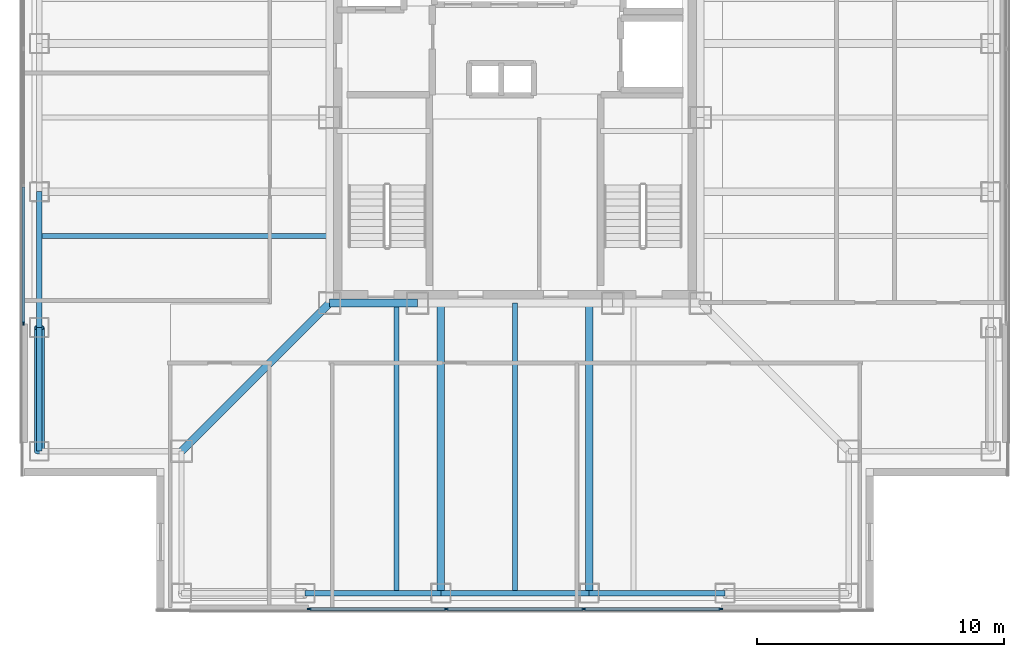
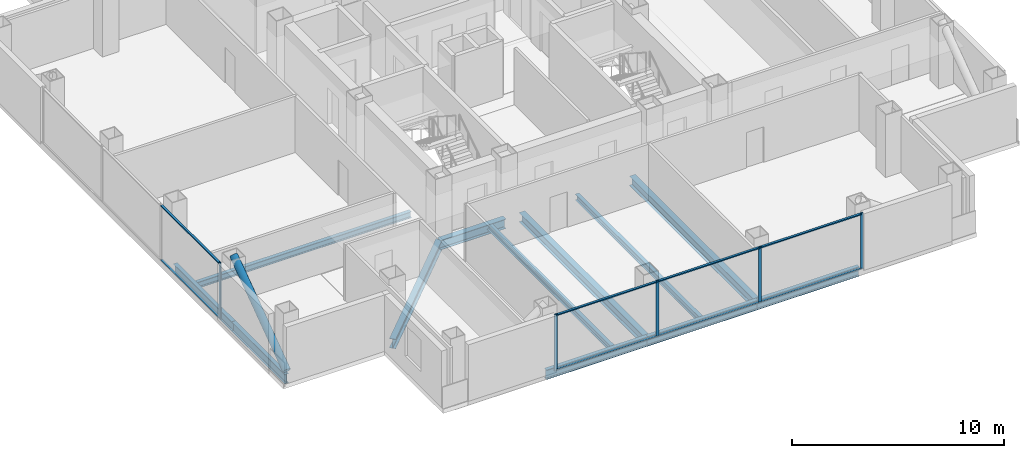
# One storey, part 2 of 16: 14 members, 12 beams, 2 elements without a shape of their own.
"""IFC4 building model written with IfcOpenShell, lengths in metres."""

import ifcopenshell
import ifcopenshell.guid

model = None  # the IFC model being written
_history = None  # IfcOwnerHistory: only IFC2X3 demands one
_inside = {}  # id of a spatial element -> (the spatial element, [elements in it])
_under = {}  # id of a project, library or spatial element -> (it, [spatial elements below it])
_declared = {}  # id of a project -> (the project, [libraries it declares])
_typed = {}  # id of a type object -> (the type object, [elements of that type])
_made_of = {}  # id of a material, layer set ... -> (it, [elements and type objects made of it])


def new_model(schema):
    """Start an empty IFC model of exactly this schema.

    Asked for "IFC4X3", IfcOpenShell would pick the latest addendum, in which some entities
    have other attributes; the version numbers below select the first issue.
    IFC2X3 requires an IfcOwnerHistory on every rooted entity: one is made here for all.
    """
    global model, _history
    if schema == "IFC4X3":
        model = ifcopenshell.file(schema_version=(4, 3, 0, 0))
    else:
        model = ifcopenshell.file(schema=schema)
    _inside.clear()
    _under.clear()
    _declared.clear()
    _typed.clear()
    _made_of.clear()
    _history = None
    if model.schema == "IFC2X3":
        org = make("IfcOrganization", Name="unknown")
        user = make(
            "IfcPersonAndOrganization",
            ThePerson=make("IfcPerson", FamilyName="unknown"),
            TheOrganization=org,
        )
        app = make(
            "IfcApplication",
            ApplicationDeveloper=org,
            Version="unknown",
            ApplicationFullName="unknown",
            ApplicationIdentifier="unknown",
        )
        _history = make(
            "IfcOwnerHistory",
            OwningUser=user,
            OwningApplication=app,
            ChangeAction="ADDED",
            CreationDate=0,
        )
    return model


def make(cls, **values):
    """One entity of the class cls with the attributes given. An attribute that is None is left unset."""
    return model.create_entity(
        cls, **{name: value for name, value in values.items() if value is not None}
    )


def rooted(cls, **values):
    """An entity with a GlobalId (a new one), such as an element, a storey or a relation."""
    return make(cls, GlobalId=ifcopenshell.guid.new(), OwnerHistory=_history, **values)


def si_unit(unit_type, name, prefix=None):
    """IfcSIUnit, for example si_unit("LENGTHUNIT", "METRE", prefix="MILLI")."""
    return make("IfcSIUnit", UnitType=unit_type, Prefix=prefix, Name=name)


def assignment(units):
    """IfcUnitAssignment: the units of a project."""
    return None if units is None else make("IfcUnitAssignment", Units=units)


def point(xyz):
    """IfcCartesianPoint."""
    return None if xyz is None else make("IfcCartesianPoint", Coordinates=xyz)


def direction(xyz):
    """IfcDirection."""
    return None if xyz is None else make("IfcDirection", DirectionRatios=xyz)


def frame(location, z_axis=None, x_axis=None):
    """IfcAxis2Placement3D, a coordinate frame: its origin and axes. An axis left out is left unset."""
    return make(
        "IfcAxis2Placement3D",
        Location=point(location),
        Axis=direction(z_axis),
        RefDirection=direction(x_axis),
    )


def frame_2d(location, x_axis=None):
    """IfcAxis2Placement2D, a coordinate frame in the plane: its origin and x axis."""
    return make(
        "IfcAxis2Placement2D", Location=point(location), RefDirection=direction(x_axis)
    )


def origin():
    """The frame at (0, 0, 0) with its axes left unset."""
    return frame((0.0, 0.0, 0.0))


def origin_2d():
    """The frame at (0, 0) in the plane with its x axis left unset."""
    return frame_2d((0.0, 0.0))


def place(relative_to, where):
    """IfcLocalPlacement: puts the frame where relative to a parent placement (None: the world)."""
    return make(
        "IfcLocalPlacement", PlacementRelTo=relative_to, RelativePlacement=where
    )


def context(
    kind, dimensions, precision=None, world=None, true_north=None, identifier=None
):
    """IfcGeometricRepresentationContext, for example the 3D "Model" context."""
    return make(
        "IfcGeometricRepresentationContext",
        ContextIdentifier=identifier,
        ContextType=kind,
        CoordinateSpaceDimension=dimensions,
        Precision=precision,
        WorldCoordinateSystem=world,
        TrueNorth=true_north,
    )


def subcontext(parent, identifier, kind, view, scale=None):
    """IfcGeometricRepresentationSubContext, for example "Body" below "Model"."""
    return make(
        "IfcGeometricRepresentationSubContext",
        ContextIdentifier=identifier,
        ContextType=kind,
        ParentContext=parent,
        TargetScale=scale,
        TargetView=view,
    )


def project(units=None, contexts=None):
    """IfcProject with its units and contexts."""
    return rooted(
        "IfcProject",
        Name="project",
        RepresentationContexts=contexts,
        UnitsInContext=assignment(units),
    )


def spatial(cls, under=None, at=None, **own):
    """A site, building, storey or space (cls), placed at a placement, below another one or the project."""
    s = rooted(cls, ObjectPlacement=at, **own)
    if under is not None:
        _under.setdefault(under.id(), (under, []))[1].append(s)
    return s


def profile(cls, at=None, kind="AREA", **sizes):
    """A parametric profile (cls). Its sizes go by their IFC names, for example OverallWidth=200.0."""
    return make(cls, ProfileType=kind, Position=at, **sizes)


def rectangle(**sizes):
    """IfcRectangleProfileDef."""
    return profile("IfcRectangleProfileDef", **sizes)


def hollow_circle(**sizes):
    """IfcCircleHollowProfileDef."""
    return profile("IfcCircleHollowProfileDef", **sizes)


def i_section(**sizes):
    """IfcIShapeProfileDef."""
    return profile("IfcIShapeProfileDef", **sizes)


def extrude(swept, where, along, depth):
    """IfcExtrudedAreaSolid: the profile swept, set in the frame where, extruded along a direction by depth."""
    return make(
        "IfcExtrudedAreaSolid",
        SweptArea=swept,
        Position=where,
        ExtrudedDirection=direction(along),
        Depth=depth,
    )


def shape(context_of_items, identifier, shape_type, items):
    """IfcShapeRepresentation: the items that make up one representation, for example the "Body"."""
    return make(
        "IfcShapeRepresentation",
        ContextOfItems=context_of_items,
        RepresentationIdentifier=identifier,
        RepresentationType=shape_type,
        Items=items,
    )


def material(Name=None, Category=None):
    """IfcMaterial."""
    return make("IfcMaterial", Name=Name, Category=Category)


def layer(
    of_material, thickness, ventilated=None, Name=None, Category=None, Priority=None
):
    """IfcMaterialLayer: one layer of a wall or slab, of a material (None: an air gap)."""
    return make(
        "IfcMaterialLayer",
        Material=of_material,
        LayerThickness=thickness,
        IsVentilated=ventilated,
        Name=Name,
        Category=Category,
        Priority=Priority,
    )


def layer_set(layers, Name=None):
    """IfcMaterialLayerSet."""
    return make("IfcMaterialLayerSet", MaterialLayers=layers, LayerSetName=Name)


def material_profile(
    of_material, cross_section, Name=None, Category=None, Priority=None
):
    """IfcMaterialProfile: a cross section and its material."""
    return make(
        "IfcMaterialProfile",
        Name=Name,
        Material=of_material,
        Profile=cross_section,
        Priority=Priority,
        Category=Category,
    )


def profile_set(profiles, Name=None, composite=None):
    """IfcMaterialProfileSet."""
    return make(
        "IfcMaterialProfileSet",
        Name=Name,
        MaterialProfiles=profiles,
        CompositeProfile=composite,
    )


def made_of(thing, what):
    """Note that an element or type object is made of a material, layer set ...; save() writes the relation."""
    if what is not None:
        _made_of.setdefault(what.id(), (what, []))[1].append(thing)
    return thing


def type_object(cls, material=None, **own):
    """A type object (cls), such as IfcWallType, which elements share."""
    return made_of(rooted(cls, **own), material)


def element(
    cls,
    number,
    at=None,
    inside=None,
    cuts=None,
    type_object=None,
    material=None,
    context=None,
    identifier="Body",
    shape_type=None,
    held_by="IfcProductDefinitionShape",
    body=None,
    shapes=None,
    **own,
):
    """One element of the class cls, such as IfcWall. Its Tag is "e" and its number.

    at: its placement. inside: the storey or other place that contains it. cuts: it is an
    opening in that element (IfcRelVoidsElement). A single representation is given by context,
    identifier, shape_type and body (its items); several are given by shapes. held_by: the class
    of the entity that holds the representations. save() writes the other relations.
    """
    e = rooted(cls, Tag="e%d" % number, ObjectPlacement=at, **own)
    if body is not None:
        shapes = [shape(context, identifier, shape_type, body)]
    if shapes is not None:
        e.Representation = make(held_by, Representations=shapes)
    if inside is not None:
        _inside.setdefault(inside.id(), (inside, []))[1].append(e)
    if cuts is not None:
        rooted(
            "IfcRelVoidsElement", RelatingBuildingElement=cuts, RelatedOpeningElement=e
        )
    if type_object is not None:
        _typed.setdefault(type_object.id(), (type_object, []))[1].append(e)
    return made_of(e, material)


def aggregate(whole, parts):
    """IfcRelAggregates: a whole, such as a stair, and the parts it consists of."""
    return rooted("IfcRelAggregates", RelatingObject=whole, RelatedObjects=parts)


def save(model, path):
    """Write the relations noted so far, then the file.

    IfcRelAggregates (storeys below a building ...), IfcRelContainedInSpatialStructure (elements
    in a storey), IfcRelDefinesByType, IfcRelAssociatesMaterial and IfcRelDeclares: one each for
    every whole, place, type object, material and project.
    """
    for whole, parts in _under.values():
        aggregate(whole, parts)
    for where, things in _inside.values():
        rooted(
            "IfcRelContainedInSpatialStructure",
            RelatedElements=things,
            RelatingStructure=where,
        )
    for kind, things in _typed.values():
        rooted("IfcRelDefinesByType", RelatedObjects=things, RelatingType=kind)
    for what, things in _made_of.values():
        rooted("IfcRelAssociatesMaterial", RelatedObjects=things, RelatingMaterial=what)
    for by, libraries in _declared.values():
        rooted("IfcRelDeclares", RelatingContext=by, RelatedDefinitions=libraries)
    model.write(path)


model = new_model("IFC4")

# Units and contexts
model_context = context("Model", 3, precision=1e-05, world=origin(), true_north=direction((0.0, 1.0)))
body_context = subcontext(model_context, "Body", "Model", "MODEL_VIEW")
ifc_project = project(units=[si_unit("LENGTHUNIT", "METRE"), si_unit("AREAUNIT", "SQUARE_METRE"), si_unit("VOLUMEUNIT", "CUBIC_METRE"), si_unit("PLANEANGLEUNIT", "RADIAN"), si_unit("MASSUNIT", "GRAM", prefix="KILO")], contexts=[model_context])

# Site, building, storey
site_placement = place(None, origin())
site = spatial("IfcSite", under=ifc_project, at=site_placement, CompositionType="ELEMENT")
building_placement = place(site_placement, origin())
building = spatial("IfcBuilding", under=site, at=building_placement, Name="Trevonay Congress Spire", CompositionType="ELEMENT")
storey_placement = place(building_placement, frame((0.0, 0.0, 223.800048828125)))
storey = spatial("IfcBuildingStorey", under=building, at=storey_placement, Name="L58", CompositionType="ELEMENT", Elevation=223.800048828125)

# Beams
ifc_material_1 = material(Name="Steel ASTM A572 Grade 50", Category="steel")
ifc_material_profile_1 = material_profile(ifc_material_1, i_section(OverallWidth=0.31201171875, OverallDepth=0.54296875, WebThickness=0.0126953125, FlangeThickness=0.020263671875, FilletRadius=0.014892578125, at=origin_2d()), Name="W530x150")
ifc_profile_set_1 = profile_set([ifc_material_profile_1], Name="Steel ASTM A572 Grade 50")
beam_type_1 = type_object("IfcBeamType", Name="BM-GIRD-W530X150", PredefinedType="BEAM", material=ifc_profile_set_1)
beam_1_placement = place(storey_placement, frame((-7.5, -7.5, -0.511474609375), z_axis=(1.0, 0.0, 0.0), x_axis=(0.0, 1.0, 0.0)))
element("IfcBeam", 1, at=beam_1_placement, inside=storey, type_object=beam_type_1, Name="L58 structural beam BM-L58-CR-S1", PredefinedType="BEAM", context=body_context, shape_type="SweptSolid", body=[
    extrude(i_section(OverallWidth=0.31201171875, OverallDepth=0.54296875, WebThickness=0.0126953125, FlangeThickness=0.020263671875, FilletRadius=0.014892578125, at=origin_2d()), origin(), (0.0, 0.0, 1.0), 3.550048828125),
])
beam_2_placement = place(storey_placement, frame((-7.5, -7.5, -0.511474609375), z_axis=(-0.707106781187, -0.707106781187, 0.0), x_axis=(0.707106781187, -0.707106781187, 0.0)))
element("IfcBeam", 2, at=beam_2_placement, inside=storey, type_object=beam_type_1, Name="L58 structural beam BM-L58-CDSW", PredefinedType="BEAM", context=body_context, shape_type="SweptSolid", body=[
    extrude(i_section(OverallWidth=0.31201171875, OverallDepth=0.54296875, WebThickness=0.0126953125, FlangeThickness=0.020263671875, FilletRadius=0.014892578125, at=origin_2d()), origin(), (0.0, 0.0, 1.0), 8.4853515625),
])
for number, where, z_axis, x_axis, name in (
    (3, (-3.0, -7.5, -0.511474609375), (0.0, -1.0, 0.0), (1.0, 0.0, 0.0), "L58 structural beam BM-L58-GS-M"),
    (4, (3.0, -7.5, -0.511474609375), (0.0, -1.0, 0.0), (1.0, 0.0, 0.0), "L58 structural beam BM-L58-GS-P"),
):
    element("IfcBeam", number, at=place(storey_placement, frame(where, z_axis=z_axis, x_axis=x_axis)), inside=storey, type_object=beam_type_1, Name=name, PredefinedType="BEAM", context=body_context, shape_type="SweptSolid", body=[
        extrude(i_section(OverallWidth=0.31201171875, OverallDepth=0.54296875, WebThickness=0.0126953125, FlangeThickness=0.020263671875, FilletRadius=0.014892578125, at=origin_2d()), origin(), (0.0, 0.0, 1.0), 11.75),
    ])
ifc_material_profile_2 = material_profile(ifc_material_1, i_section(OverallWidth=0.2119140625, OverallDepth=0.5439453125, WebThickness=0.01318359375, FlangeThickness=0.021240234375, FilletRadius=0.014892578125, at=origin_2d()), Name="W530x123")
ifc_profile_set_2 = profile_set([ifc_material_profile_2], Name="Steel ASTM A572 Grade 50")
beam_type_2 = type_object("IfcBeamType", Name="BM-RING-W530X123", PredefinedType="BEAM", material=ifc_profile_set_2)
beam_3_placement = place(storey_placement, frame((-19.25, -13.5, -0.511962890625), z_axis=(0.0, 1.0, 0.0), x_axis=(-1.0, 0.0, 0.0)))
element("IfcBeam", 5, at=beam_3_placement, inside=storey, type_object=beam_type_2, Name="L58 structural beam BM-L58-PW1", PredefinedType="BEAM", context=body_context, shape_type="SweptSolid", body=[
    extrude(i_section(OverallWidth=0.2119140625, OverallDepth=0.5439453125, WebThickness=0.01318359375, FlangeThickness=0.021240234375, FilletRadius=0.014892578125, at=origin_2d()), origin(), (0.0, 0.0, 1.0), 5.0),
])
for number, where, z_axis, x_axis, name in (
    (6, (-8.5, -19.25, -0.511962890625), (1.0, 0.0, 0.0), (0.0, 1.0, 0.0), "L58 structural beam BM-L58-PS2"),
    (7, (-19.25, -8.5, -0.511962890625), (0.0, 1.0, 0.0), (-1.0, 0.0, 0.0), "L58 structural beam BM-L58-PW2"),
):
    element("IfcBeam", number, at=place(storey_placement, frame(where, z_axis=z_axis, x_axis=x_axis)), inside=storey, type_object=beam_type_2, Name=name, PredefinedType="BEAM", context=body_context, shape_type="SweptSolid", body=[
        extrude(i_section(OverallWidth=0.2119140625, OverallDepth=0.5439453125, WebThickness=0.01318359375, FlangeThickness=0.021240234375, FilletRadius=0.014892578125, at=origin_2d()), origin(), (0.0, 0.0, 1.0), 5.5),
    ])
beam_4_placement = place(storey_placement, frame((-3.0, -19.25, -0.511962890625), z_axis=(1.0, 0.0, 0.0), x_axis=(0.0, 1.0, 0.0)))
element("IfcBeam", 8, at=beam_4_placement, inside=storey, type_object=beam_type_2, Name="L58 structural beam BM-L58-PS3", PredefinedType="BEAM", context=body_context, shape_type="SweptSolid", body=[
    extrude(i_section(OverallWidth=0.2119140625, OverallDepth=0.5439453125, WebThickness=0.01318359375, FlangeThickness=0.021240234375, FilletRadius=0.014892578125, at=origin_2d()), origin(), (0.0, 0.0, 1.0), 6.0),
])
beam_5_placement = place(storey_placement, frame((3.0, -19.25, -0.511962890625), z_axis=(1.0, 0.0, 0.0), x_axis=(0.0, 1.0, 0.0)))
element("IfcBeam", 9, at=beam_5_placement, inside=storey, type_object=beam_type_2, Name="L58 structural beam BM-L58-PS4", PredefinedType="BEAM", context=body_context, shape_type="SweptSolid", body=[
    extrude(i_section(OverallWidth=0.2119140625, OverallDepth=0.5439453125, WebThickness=0.01318359375, FlangeThickness=0.021240234375, FilletRadius=0.014892578125, at=origin_2d()), origin(), (0.0, 0.0, 1.0), 5.5),
])

# Curtain wall, members
ifc_material_2 = material(Name="Pale Anodised Aluminium EN AW-6063-T6", Category="aluminium")
ifc_layer = layer(ifc_material_2, 0.169921875, Name="Pale Anodised Aluminium EN AW-6063-T6")
ifc_layer_set = layer_set([ifc_layer], Name="Pale Anodised Aluminium EN AW-6063-T6")
curtain_wall_type = type_object("IfcCurtainWallType", Name="CW-SYS04-CORP-PALE-METAL", PredefinedType="NOTDEFINED", material=ifc_layer_set)
curtain_wall_1_placement = place(storey_placement, origin())
curtain_wall_1 = element("IfcCurtainWall", 10, at=curtain_wall_1_placement, inside=storey, type_object=curtain_wall_type, Name="L58 S unitised curtain wall", PredefinedType="NOTDEFINED")
ifc_material_profile_3 = material_profile(ifc_material_2, rectangle(XDim=0.06005859375, YDim=0.159912109375, at=origin_2d()), Name="CW-MULLION-160-ALUMINIUM")
ifc_profile_set_3 = profile_set([ifc_material_profile_3], Name="Pale Anodised Aluminium EN AW-6063-T6")
member_type_1 = type_object("IfcMemberType", Name="CW-MULLION-160-ALUMINIUM", PredefinedType="MULLION", material=ifc_profile_set_3)
member_1_placement = place(storey_placement, frame((-8.320068359375, -19.8798828125, 0.0), z_axis=(0.0, 0.0, 1.0), x_axis=(0.0, 1.0, 0.0)))
member_1 = element("IfcMember", 11, at=member_1_placement, type_object=member_type_1, Name="CW04 mullion 1", PredefinedType="MULLION", context=body_context, shape_type="SweptSolid", body=[
    extrude(rectangle(XDim=0.06005859375, YDim=0.159912109375, at=origin_2d()), origin(), (0.0, 0.0, 1.0), 3.25),
])
member_2_placement = place(storey_placement, frame((-2.783447265625, -19.8798828125, 0.0), z_axis=(0.0, 0.0, 1.0), x_axis=(0.0, 1.0, 0.0)))
member_2 = element("IfcMember", 12, at=member_2_placement, type_object=member_type_1, Name="CW04 mullion 2", PredefinedType="MULLION", context=body_context, shape_type="SweptSolid", body=[
    extrude(rectangle(XDim=0.06005859375, YDim=0.159912109375, at=origin_2d()), origin(), (0.0, 0.0, 1.0), 3.25),
])
member_3_placement = place(storey_placement, frame((2.783447265625, -19.8798828125, 0.0), z_axis=(0.0, 0.0, 1.0), x_axis=(0.0, 1.0, 0.0)))
member_3 = element("IfcMember", 13, at=member_3_placement, type_object=member_type_1, Name="CW04 mullion 3", PredefinedType="MULLION", context=body_context, shape_type="SweptSolid", body=[
    extrude(rectangle(XDim=0.06005859375, YDim=0.159912109375, at=origin_2d()), origin(), (0.0, 0.0, 1.0), 3.25),
])
member_4_placement = place(storey_placement, frame((8.320068359375, -19.8798828125, 0.0), z_axis=(0.0, 0.0, 1.0), x_axis=(0.0, 1.0, 0.0)))
member_4 = element("IfcMember", 14, at=member_4_placement, type_object=member_type_1, Name="CW04 mullion 4", PredefinedType="MULLION", context=body_context, shape_type="SweptSolid", body=[
    extrude(rectangle(XDim=0.06005859375, YDim=0.159912109375, at=origin_2d()), origin(), (0.0, 0.0, 1.0), 3.25),
])

# Curtain wall, member
curtain_wall_2_placement = place(storey_placement, origin())
curtain_wall_2 = element("IfcCurtainWall", 15, at=curtain_wall_2_placement, inside=storey, type_object=curtain_wall_type, Name="L58 W unitised curtain wall", PredefinedType="NOTDEFINED")
member_5_placement = place(storey_placement, frame((-19.8798828125, -8.320068359375, 0.0), z_axis=(0.0, 0.0, 1.0), x_axis=(-1.0, 0.0, 0.0)))
member_5 = element("IfcMember", 16, at=member_5_placement, type_object=member_type_1, Name="CW04 mullion 1", PredefinedType="MULLION", context=body_context, shape_type="SweptSolid", body=[
    extrude(rectangle(XDim=0.06005859375, YDim=0.159912109375, at=origin_2d()), origin(), (0.0, 0.0, 1.0), 3.25),
])

# Member
ifc_material_profile_4 = material_profile(ifc_material_2, rectangle(XDim=0.1201171875, YDim=0.06005859375, at=origin_2d()), Name="CW-TRANSOM-120-ALUMINIUM")
ifc_profile_set_4 = profile_set([ifc_material_profile_4], Name="Pale Anodised Aluminium EN AW-6063-T6")
member_type_2 = type_object("IfcMemberType", Name="CW-TRANSOM-120-ALUMINIUM", PredefinedType="USERDEFINED", material=ifc_profile_set_4)
member_6_placement = place(storey_placement, frame((-8.2900390625, -19.8798828125, 0.06005859375), z_axis=(1.0, 0.0, 0.0), x_axis=(0.0, 1.0, 0.0)))
member_6 = element("IfcMember", 17, at=member_6_placement, type_object=member_type_2, Name="CW04 transom 1.1", ObjectType="TRANSOM", PredefinedType="USERDEFINED", context=body_context, shape_type="SweptSolid", body=[
    extrude(rectangle(XDim=0.1201171875, YDim=0.06005859375, at=origin_2d()), origin(), (0.0, 0.0, 1.0), 5.476806640625),
])

member_7_placement = place(storey_placement, frame((-8.2900390625, -19.8798828125, 3.18994140625), z_axis=(1.0, 0.0, 0.0), x_axis=(0.0, 1.0, 0.0)))
member_7 = element("IfcMember", 18, at=member_7_placement, type_object=member_type_2, Name="CW04 transom 1.2", ObjectType="TRANSOM", PredefinedType="USERDEFINED", context=body_context, shape_type="SweptSolid", body=[
    extrude(rectangle(XDim=0.1201171875, YDim=0.06005859375, at=origin_2d()), origin(), (0.0, 0.0, 1.0), 5.476806640625),
])

member_8_placement = place(storey_placement, frame((-2.75341796875, -19.8798828125, 0.06005859375), z_axis=(1.0, 0.0, 0.0), x_axis=(0.0, 1.0, 0.0)))
member_8 = element("IfcMember", 19, at=member_8_placement, type_object=member_type_2, Name="CW04 transom 2.1", ObjectType="TRANSOM", PredefinedType="USERDEFINED", context=body_context, shape_type="SweptSolid", body=[
    extrude(rectangle(XDim=0.1201171875, YDim=0.06005859375, at=origin_2d()), origin(), (0.0, 0.0, 1.0), 5.5068359375),
])

member_9_placement = place(storey_placement, frame((-2.75341796875, -19.8798828125, 3.18994140625), z_axis=(1.0, 0.0, 0.0), x_axis=(0.0, 1.0, 0.0)))
member_9 = element("IfcMember", 20, at=member_9_placement, type_object=member_type_2, Name="CW04 transom 2.2", ObjectType="TRANSOM", PredefinedType="USERDEFINED", context=body_context, shape_type="SweptSolid", body=[
    extrude(rectangle(XDim=0.1201171875, YDim=0.06005859375, at=origin_2d()), origin(), (0.0, 0.0, 1.0), 5.5068359375),
])

member_10_placement = place(storey_placement, frame((2.813232421875, -19.8798828125, 0.06005859375), z_axis=(1.0, 0.0, 0.0), x_axis=(0.0, 1.0, 0.0)))
member_10 = element("IfcMember", 21, at=member_10_placement, type_object=member_type_2, Name="CW04 transom 3.1", ObjectType="TRANSOM", PredefinedType="USERDEFINED", context=body_context, shape_type="SweptSolid", body=[
    extrude(rectangle(XDim=0.1201171875, YDim=0.06005859375, at=origin_2d()), origin(), (0.0, 0.0, 1.0), 5.476806640625),
])

member_11_placement = place(storey_placement, frame((2.813232421875, -19.8798828125, 3.18994140625), z_axis=(1.0, 0.0, 0.0), x_axis=(0.0, 1.0, 0.0)))
member_11 = element("IfcMember", 22, at=member_11_placement, type_object=member_type_2, Name="CW04 transom 3.2", ObjectType="TRANSOM", PredefinedType="USERDEFINED", context=body_context, shape_type="SweptSolid", body=[
    extrude(rectangle(XDim=0.1201171875, YDim=0.06005859375, at=origin_2d()), origin(), (0.0, 0.0, 1.0), 5.476806640625),
])

aggregate(curtain_wall_1, [member_1, member_2, member_3, member_4, member_6, member_7, member_8, member_9, member_10, member_11])

member_12_placement = place(storey_placement, frame((-19.8798828125, -8.2900390625, 0.06005859375), z_axis=(0.0, 1.0, 0.0), x_axis=(-1.0, 0.0, 0.0)))
member_12 = element("IfcMember", 23, at=member_12_placement, type_object=member_type_2, Name="CW04 transom 1.1", ObjectType="TRANSOM", PredefinedType="USERDEFINED", context=body_context, shape_type="SweptSolid", body=[
    extrude(rectangle(XDim=0.1201171875, YDim=0.06005859375, at=origin_2d()), origin(), (0.0, 0.0, 1.0), 5.476806640625),
])

member_13_placement = place(storey_placement, frame((-19.8798828125, -8.2900390625, 3.18994140625), z_axis=(0.0, 1.0, 0.0), x_axis=(-1.0, 0.0, 0.0)))
member_13 = element("IfcMember", 24, at=member_13_placement, type_object=member_type_2, Name="CW04 transom 1.2", ObjectType="TRANSOM", PredefinedType="USERDEFINED", context=body_context, shape_type="SweptSolid", body=[
    extrude(rectangle(XDim=0.1201171875, YDim=0.06005859375, at=origin_2d()), origin(), (0.0, 0.0, 1.0), 5.476806640625),
])

aggregate(curtain_wall_2, [member_5, member_12, member_13])

# Beams
ifc_material_profile_5 = material_profile(ifc_material_1, i_section(OverallWidth=0.205078125, OverallDepth=0.35400390625, WebThickness=0.009521484375, FlangeThickness=0.016845703125, FilletRadius=0.011962890625, at=origin_2d()), Name="W360x79")
ifc_profile_set_5 = profile_set([ifc_material_profile_5], Name="Steel ASTM A572 Grade 50")
beam_type_3 = type_object("IfcBeamType", Name="JS-COMP-W360X79", PredefinedType="JOIST", material=ifc_profile_set_5)
for number, where, z_axis, x_axis, name in (
    (25, (-4.800048828125, -19.25, -0.4169921875), (0.0, 1.0, 0.0), (-1.0, 0.0, 0.0), "L58 structural beam JS-L58-NS-S1"),
    (26, (-19.25, -4.800048828125, -0.4169921875), (1.0, 0.0, 0.0), (0.0, 1.0, 0.0), "L58 structural beam JS-L58-EW-W1"),
    (27, (0.0, -19.25, -0.4169921875), (0.0, 1.0, 0.0), (-1.0, 0.0, 0.0), "L58 structural beam JS-L58-NS-S2"),
):
    element("IfcBeam", number, at=place(storey_placement, frame(where, z_axis=z_axis, x_axis=x_axis)), inside=storey, type_object=beam_type_3, Name=name, PredefinedType="JOIST", context=body_context, shape_type="SweptSolid", body=[
        extrude(i_section(OverallWidth=0.205078125, OverallDepth=0.35400390625, WebThickness=0.009521484375, FlangeThickness=0.016845703125, FilletRadius=0.011962890625, at=origin_2d()), origin(), (0.0, 0.0, 1.0), 11.75),
    ])

# Member
ifc_material_3 = material(Name="Steel ASTM A500 Grade C", Category="steel")
ifc_material_profile_6 = material_profile(ifc_material_3, hollow_circle(Radius=0.203125, WallThickness=0.02001953125, at=origin_2d()), Name="CHS 406.4x20")
ifc_profile_set_6 = profile_set([ifc_material_profile_6], Name="Steel ASTM A500 Grade C")
member_type_3 = type_object("IfcMemberType", Name="MBR-TUBE-CHS406", PredefinedType="BRACE", material=ifc_profile_set_6)
member_14_placement = place(storey_placement, frame((-19.25, -13.5, -0.050048828125), z_axis=(0.0, 0.811526825515, 0.584315164504), x_axis=(-1.0, 0.0, 0.0)))
element("IfcMember", 28, at=member_14_placement, inside=storey, type_object=member_type_3, Name="L58 perimeter braced-tube diagonal W0", PredefinedType="BRACE", context=body_context, shape_type="SweptSolid", body=[
    extrude(hollow_circle(Radius=0.203125, WallThickness=0.02001953125, at=origin_2d()), origin(), (0.0, 0.0, 1.0), 6.1611328125),
])

save(model, "model.ifc")
